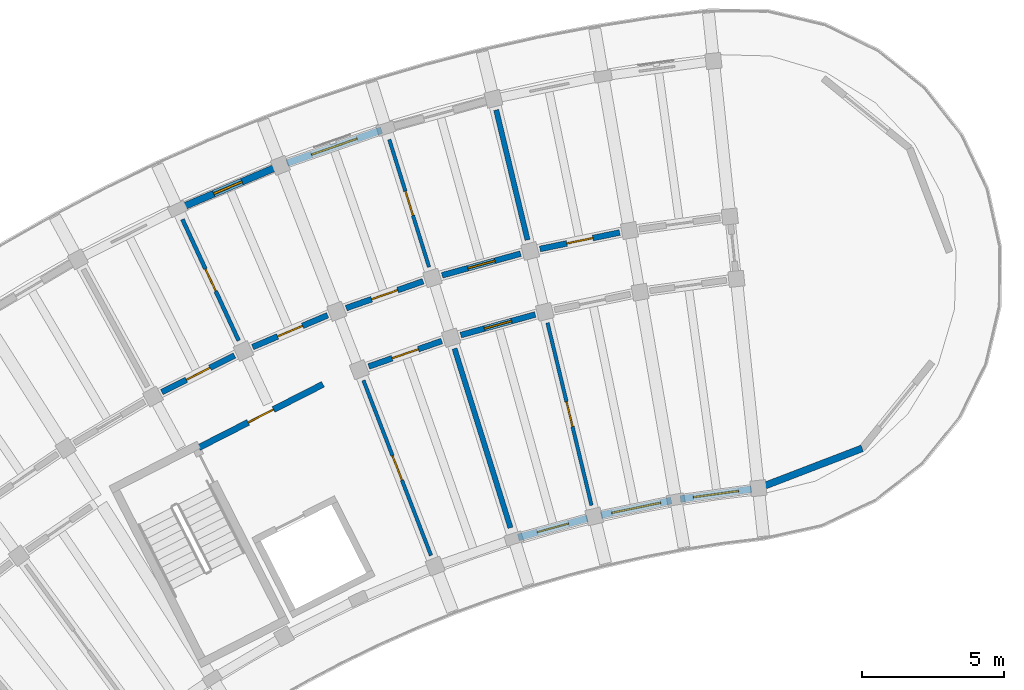
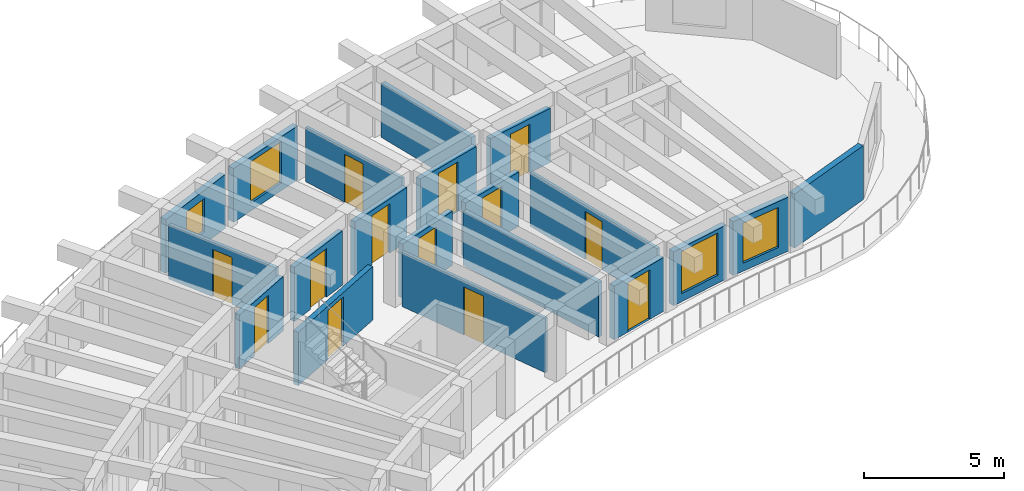
# One storey, part 49 of 81: 20 walls, 13 doors, 4 windows, 17 openings.
"""IFC4 building model written with IfcOpenShell, lengths in metres."""

from ifc_helpers import new_model, si_unit, direction, frame, frame_2d, origin, place, context, subcontext, project, spatial, rectangle, extrude, material, layer, layer_set, type_object, element, fill, save


model = new_model("IFC4")

# Units and contexts
model_context = context("Model", 3, precision=1e-05, world=origin(), true_north=direction((0.0, 1.0)))
body_context = subcontext(model_context, "Body", "Model", "MODEL_VIEW")
ifc_project = project(units=[si_unit("LENGTHUNIT", "METRE"), si_unit("AREAUNIT", "SQUARE_METRE"), si_unit("VOLUMEUNIT", "CUBIC_METRE"), si_unit("PLANEANGLEUNIT", "RADIAN"), si_unit("MASSUNIT", "GRAM", prefix="KILO")], contexts=[model_context])

# Site, building, storey
site_placement = place(None, origin())
site = spatial("IfcSite", under=ifc_project, at=site_placement, CompositionType="ELEMENT")
building_placement = place(site_placement, origin())
building = spatial("IfcBuilding", under=site, at=building_placement, Name="Tanwirah Colonnade Gardens", CompositionType="ELEMENT")
storey_placement = place(building_placement, frame((0.0, 0.0, 8.840087890625)))
storey = spatial("IfcBuildingStorey", under=building, at=storey_placement, Name="L02", CompositionType="ELEMENT", Elevation=8.840087890625)

# Wall, opening, window
ifc_material_1 = material(Name="Limestone architectural precast concrete C40/50", Category="masonry")
ifc_layer_1 = layer(ifc_material_1, 0.2451171875)
ifc_layer_set_1 = layer_set([ifc_layer_1], Name="Limestone architectural precast concrete C40/50")
wall_type_1 = type_object("IfcWallType", Name="EW-PC245", PredefinedType="SOLIDWALL", material=ifc_layer_set_1)
wall_1_placement = place(storey_placement, frame((60.111083984375, 104.372802734375, 0.0), z_axis=(0.0, 0.0, 1.0), x_axis=(-0.990545622952, -0.13718370476, 0.0)))
wall_1 = element("IfcWall", 1, at=wall_1_placement, inside=storey, type_object=wall_type_1, Name="Block A L02 IN Precast Facade Wall 0", PredefinedType="SOLIDWALL", context=body_context, shape_type="SweptSolid", body=[
    extrude(rectangle(XDim=2.525390625, YDim=0.2451171875, at=frame_2d((1.2626953125, 0.0))), origin(), (0.0, 0.0, 1.0), 2.35498046875),
])
opening_1_placement = place(wall_1_placement, frame((0.462646484375, 0.0, 0.35009765625)))
opening_1 = element("IfcOpeningElement", 2, at=opening_1_placement, cuts=wall_1, Name="Opening WIN-T10", PredefinedType="OPENING", context=body_context, shape_type="SweptSolid", body=[
    extrude(rectangle(XDim=1.60009765625, YDim=1.75, at=frame_2d((0.800048828125, 0.875))), frame((0.0, 0.132568359375, 0.0), z_axis=(0.0, -1.0, 0.0), x_axis=(1.0, 0.0, 0.0)), (0.0, 0.0, 1.0), 0.26513671875),
])
ifc_material_2 = material(Name="Thermally broken bronze aluminium and solar low-E double glazing", Category="aluminium")
window_type_1 = type_object("IfcWindowType", Name="WIN-T10", PartitioningType="DOUBLE_PANEL_VERTICAL", PredefinedType="WINDOW", material=ifc_material_2)
window_1_placement = place(opening_1_placement, origin())
window_1 = element("IfcWindow", 3, at=window_1_placement, inside=storey, type_object=window_type_1, Name="Facade window A-L02-IN-00", OverallHeight=1.75, OverallWidth=1.60009765625, PartitioningType="SINGLE_PANEL", PredefinedType="WINDOW", context=body_context, shape_type="SweptSolid", body=[
    extrude(rectangle(XDim=1.60009765625, YDim=1.75, at=frame_2d((0.800048828125, 0.875))), frame((0.0, 0.030029296875, 0.0), z_axis=(0.0, -1.0, 0.0), x_axis=(1.0, 0.0, 0.0)), (0.0, 0.0, 1.0), 0.06005859375),
])
fill(opening_1, window_1)

wall_2_placement = place(storey_placement, frame((57.29443359375, 103.971923828125, 0.0), z_axis=(0.0, 0.0, 1.0), x_axis=(-0.979334432394, -0.20224754517, 0.0)))
wall_2 = element("IfcWall", 4, at=wall_2_placement, inside=storey, type_object=wall_type_1, Name="Block A L02 IN Precast Facade Wall 1", PredefinedType="SOLIDWALL", context=body_context, shape_type="SweptSolid", body=[
    extrude(rectangle(XDim=2.525390625, YDim=0.2451171875, at=frame_2d((1.2626953125, 0.0))), origin(), (0.0, 0.0, 1.0), 2.35498046875),
])
opening_2_placement = place(wall_2_placement, frame((0.3876953125, 0.0, 0.35009765625)))
opening_2 = element("IfcOpeningElement", 5, at=opening_2_placement, cuts=wall_2, Name="Opening WIN-T13", PredefinedType="OPENING", context=body_context, shape_type="SweptSolid", body=[
    extrude(rectangle(XDim=1.75, YDim=1.85009765625, at=frame_2d((0.875, 0.925048828125))), frame((0.0, 0.132568359375, 0.0), z_axis=(0.0, -1.0, 0.0), x_axis=(1.0, 0.0, 0.0)), (0.0, 0.0, 1.0), 0.26513671875),
])
window_type_2 = type_object("IfcWindowType", Name="WIN-T13", PartitioningType="TRIPLE_PANEL_VERTICAL", PredefinedType="WINDOW", material=ifc_material_2)
window_2_placement = place(opening_2_placement, origin())
window_2 = element("IfcWindow", 6, at=window_2_placement, inside=storey, type_object=window_type_2, Name="Facade window A-L02-IN-01", OverallHeight=1.85009765625, OverallWidth=1.75, PartitioningType="SINGLE_PANEL", PredefinedType="WINDOW", context=body_context, shape_type="SweptSolid", body=[
    extrude(rectangle(XDim=1.75, YDim=1.85009765625, at=frame_2d((0.875, 0.925048828125))), frame((0.0, 0.030029296875, 0.0), z_axis=(0.0, -1.0, 0.0), x_axis=(1.0, 0.0, 0.0)), (0.0, 0.0, 1.0), 0.06005859375),
])
fill(opening_2, window_2)

# Wall, opening, door
wall_3_placement = place(storey_placement, frame((54.34521484375, 103.346435546875, 0.0), z_axis=(0.0, 0.0, 1.0), x_axis=(-0.963901971286, -0.266257375017, 0.0)))
wall_3 = element("IfcWall", 7, at=wall_3_placement, inside=storey, type_object=wall_type_1, Name="Block A L02 IN Precast Facade Wall 2", PredefinedType="SOLIDWALL", context=body_context, shape_type="SweptSolid", body=[
    extrude(rectangle(XDim=2.525146484375, YDim=0.2451171875, at=frame_2d((1.2626953125, 0.0))), origin(), (0.0, 0.0, 1.0), 2.35498046875),
])
opening_3_placement = place(wall_3_placement, frame((0.692626953125, 0.0, 0.0)))
opening_3 = element("IfcOpeningElement", 8, at=opening_3_placement, cuts=wall_3, Name="Opening L02-ED009", PredefinedType="OPENING", context=body_context, shape_type="SweptSolid", body=[
    extrude(rectangle(XDim=1.139892578125, YDim=2.159912109375, at=frame_2d((0.56982421875, 1.080078125))), frame((0.0, 0.132568359375, 0.0), z_axis=(0.0, -1.0, 0.0), x_axis=(1.0, 0.0, 0.0)), (0.0, 0.0, 1.0), 0.26513671875),
])
ifc_material_3 = material(Name="Bronze aluminium glazed balcony door", Category="aluminium")
door_type_1 = type_object("IfcDoorType", Name="ED-BAL114", OperationType="NOTDEFINED", PredefinedType="DOOR", material=ifc_material_3)
door_1_placement = place(opening_3_placement, origin())
door_1 = element("IfcDoor", 9, at=door_1_placement, inside=storey, type_object=door_type_1, Name="Balcony glazed door L02-ED009", OperationType="SINGLE_SWING_LEFT", OverallHeight=2.159912109375, OverallWidth=1.139892578125, PredefinedType="DOOR", context=body_context, shape_type="SweptSolid", body=[
    extrude(rectangle(XDim=1.139892578125, YDim=2.159912109375, at=frame_2d((0.56982421875, 1.080078125))), frame((0.0, 0.02490234375, 0.0), z_axis=(0.0, -1.0, 0.0), x_axis=(1.0, 0.0, 0.0)), (0.0, 0.0, 1.0), 0.050048828125),
])
fill(opening_3, door_1)

# Wall, opening, window
wall_4_placement = place(storey_placement, frame((47.107177734375, 116.992919921875, 0.0), z_axis=(0.0, 0.0, 1.0), x_axis=(-0.944267366677, -0.329179495455, 0.0)))
wall_4 = element("IfcWall", 10, at=wall_4_placement, inside=storey, type_object=wall_type_1, Name="Block A L02 OUT Precast Facade Wall 3", PredefinedType="SOLIDWALL", context=body_context, shape_type="SweptSolid", body=[
    extrude(rectangle(XDim=3.520751953125, YDim=0.2451171875, at=frame_2d((1.76025390625, 0.0))), origin(), (0.0, 0.0, 1.0), 2.35498046875),
])
opening_4_placement = place(wall_4_placement, frame((0.910400390625, 0.0, 0.35009765625)))
opening_4 = element("IfcOpeningElement", 11, at=opening_4_placement, cuts=wall_4, Name="Opening WIN-T12", PredefinedType="OPENING", context=body_context, shape_type="SweptSolid", body=[
    extrude(rectangle(XDim=1.699951171875, YDim=1.800048828125, at=frame_2d((0.85009765625, 0.89990234375))), frame((0.0, 0.132568359375, 0.0), z_axis=(0.0, -1.0, 0.0), x_axis=(1.0, 0.0, 0.0)), (0.0, 0.0, 1.0), 0.26513671875),
])
window_type_3 = type_object("IfcWindowType", Name="WIN-T12", PartitioningType="TRIPLE_PANEL_VERTICAL", PredefinedType="WINDOW", material=ifc_material_2)
window_3_placement = place(opening_4_placement, origin())
window_3 = element("IfcWindow", 12, at=window_3_placement, inside=storey, type_object=window_type_3, Name="Facade window A-L02-OUT-03", OverallHeight=1.800048828125, OverallWidth=1.699951171875, PartitioningType="SINGLE_PANEL", PredefinedType="WINDOW", context=body_context, shape_type="SweptSolid", body=[
    extrude(rectangle(XDim=1.699951171875, YDim=1.800048828125, at=frame_2d((0.85009765625, 0.89990234375))), frame((0.0, 0.030029296875, 0.0), z_axis=(0.0, -1.0, 0.0), x_axis=(1.0, 0.0, 0.0)), (0.0, 0.0, 1.0), 0.06005859375),
])
fill(opening_4, window_3)

wall_5_placement = place(storey_placement, frame((43.325927734375, 115.657470703125, 0.0), z_axis=(0.0, 0.0, 1.0), x_axis=(-0.920502438884, -0.390736816807, 0.0)))
wall_5 = element("IfcWall", 13, at=wall_5_placement, inside=storey, type_object=wall_type_1, Name="Block A L02 OUT Precast Facade Wall 4", PredefinedType="SOLIDWALL", context=body_context, shape_type="SweptSolid", body=[
    extrude(rectangle(XDim=3.520751953125, YDim=0.2451171875, at=frame_2d((1.76025390625, 0.0))), origin(), (0.0, 0.0, 1.0), 2.35498046875),
])
opening_5_placement = place(wall_5_placement, frame((1.22021484375, 0.0, 0.550048828125)))
opening_5 = element("IfcOpeningElement", 14, at=opening_5_placement, cuts=wall_5, Name="Opening WIN-T15", PredefinedType="OPENING", context=body_context, shape_type="SweptSolid", body=[
    extrude(rectangle(XDim=1.080078125, YDim=1.449951171875, at=frame_2d((0.5400390625, 0.72509765625))), frame((0.0, 0.132568359375, 0.0), z_axis=(0.0, -1.0, 0.0), x_axis=(1.0, 0.0, 0.0)), (0.0, 0.0, 1.0), 0.26513671875),
])
window_type_4 = type_object("IfcWindowType", Name="WIN-T15", PartitioningType="SINGLE_PANEL", PredefinedType="WINDOW", material=ifc_material_2)
window_4_placement = place(opening_5_placement, origin())
window_4 = element("IfcWindow", 15, at=window_4_placement, inside=storey, type_object=window_type_4, Name="Facade window A-L02-OUT-04", OverallHeight=1.449951171875, OverallWidth=1.080078125, PartitioningType="SINGLE_PANEL", PredefinedType="WINDOW", context=body_context, shape_type="SweptSolid", body=[
    extrude(rectangle(XDim=1.080078125, YDim=1.449951171875, at=frame_2d((0.5400390625, 0.72509765625))), frame((0.0, 0.030029296875, 0.0), z_axis=(0.0, -1.0, 0.0), x_axis=(1.0, 0.0, 0.0)), (0.0, 0.0, 1.0), 0.06005859375),
])
fill(opening_5, window_4)

# Wall
wall_6_placement = place(storey_placement, frame((64.002197265625, 105.80712890625, 0.0), z_axis=(0.0, 0.0, 1.0), x_axis=(-0.93356922619, -0.35839712598, 0.0)))
element("IfcWall", 16, at=wall_6_placement, inside=storey, type_object=wall_type_1, Name="Block A L02 START Rounded End Wall 5", PredefinedType="SOLIDWALL", context=body_context, shape_type="SweptSolid", body=[
    extrude(rectangle(XDim=3.907958984375, YDim=0.2451171875, at=frame_2d((1.9541015625, 0.0))), origin(), (0.0, 0.0, 1.0), 2.35498046875),
])

# Wall, opening, door
ifc_material_4 = material(Name="Precast concrete C40/50", Category="concrete")
ifc_layer_2 = layer(ifc_material_4, 0.205078125)
ifc_layer_set_2 = layer_set([ifc_layer_2], Name="Precast concrete C40/50")
wall_type_2 = type_object("IfcWallType", Name="IW-CORR205", PredefinedType="PARTITIONING", material=ifc_layer_set_2)
wall_7_placement = place(storey_placement, frame((55.47802734375, 113.39404296875, 0.0), z_axis=(0.0, 0.0, 1.0), x_axis=(-0.979348418612, -0.202179808492, 0.0)))
wall_7 = element("IfcWall", 17, at=wall_7_placement, inside=storey, type_object=wall_type_2, Name="Block A L02 OUT Corridor Wall 1", PredefinedType="PARTITIONING", context=body_context, shape_type="SweptSolid", body=[
    extrude(rectangle(XDim=2.863037109375, YDim=0.205078125, at=frame_2d((1.431640625, 0.0))), origin(), (0.0, 0.0, 1.0), 2.369873046875),
])
opening_6_placement = place(wall_7_placement, frame((0.966552734375, 0.0, 0.0)))
opening_6 = element("IfcOpeningElement", 18, at=opening_6_placement, cuts=wall_7, Name="Opening L02-AD307", PredefinedType="OPENING", context=body_context, shape_type="SweptSolid", body=[
    extrude(rectangle(XDim=0.929931640625, YDim=2.1201171875, at=frame_2d((0.46484375, 1.06005859375))), frame((0.0, 0.112548828125, 0.0), z_axis=(0.0, -1.0, 0.0), x_axis=(1.0, 0.0, 0.0)), (0.0, 0.0, 1.0), 0.22509765625),
])
ifc_material_5 = material(Name="Solid oak fire-resisting apartment entrance door")
door_type_2 = type_object("IfcDoorType", Name="ID-FLT093", OperationType="NOTDEFINED", PredefinedType="DOOR", material=ifc_material_5)
door_2_placement = place(opening_6_placement, origin())
door_2 = element("IfcDoor", 19, at=door_2_placement, inside=storey, type_object=door_type_2, Name="Apartment corridor door L02-AD307", OperationType="SINGLE_SWING_RIGHT", OverallHeight=2.1201171875, OverallWidth=0.929931640625, PredefinedType="DOOR", context=body_context, shape_type="SweptSolid", body=[
    extrude(rectangle(XDim=0.929931640625, YDim=2.1201171875, at=frame_2d((0.46484375, 1.06005859375))), frame((0.0, 0.02490234375, 0.0), z_axis=(0.0, -1.0, 0.0), x_axis=(1.0, 0.0, 0.0)), (0.0, 0.0, 1.0), 0.050048828125),
])
fill(opening_6, door_2)

wall_8_placement = place(storey_placement, frame((51.993896484375, 112.651123046875, 0.0), z_axis=(0.0, 0.0, 1.0), x_axis=(-0.963890789093, -0.266297853356, 0.0)))
wall_8 = element("IfcWall", 20, at=wall_8_placement, inside=storey, type_object=wall_type_2, Name="Block A L02 OUT Corridor Wall 2", PredefinedType="PARTITIONING", context=body_context, shape_type="SweptSolid", body=[
    extrude(rectangle(XDim=2.863037109375, YDim=0.205078125, at=frame_2d((1.431640625, 0.0))), origin(), (0.0, 0.0, 1.0), 2.369873046875),
])
opening_7_placement = place(wall_8_placement, frame((0.9365234375, 0.0, 0.0)))
opening_7 = element("IfcOpeningElement", 21, at=opening_7_placement, cuts=wall_8, Name="Opening L02-AD310", PredefinedType="OPENING", context=body_context, shape_type="SweptSolid", body=[
    extrude(rectangle(XDim=0.989990234375, YDim=2.159912109375, at=frame_2d((0.4951171875, 1.080078125))), frame((0.0, 0.112548828125, 0.0), z_axis=(0.0, -1.0, 0.0), x_axis=(1.0, 0.0, 0.0)), (0.0, 0.0, 1.0), 0.22509765625),
])
door_type_3 = type_object("IfcDoorType", Name="ID-FLT099", OperationType="NOTDEFINED", PredefinedType="DOOR", material=ifc_material_5)
door_3_placement = place(opening_7_placement, origin())
door_3 = element("IfcDoor", 22, at=door_3_placement, inside=storey, type_object=door_type_3, Name="Apartment corridor door L02-AD310", OperationType="SINGLE_SWING_LEFT", OverallHeight=2.159912109375, OverallWidth=0.989990234375, PredefinedType="DOOR", context=body_context, shape_type="SweptSolid", body=[
    extrude(rectangle(XDim=0.989990234375, YDim=2.159912109375, at=frame_2d((0.4951171875, 1.080078125))), frame((0.0, 0.02490234375, 0.0), z_axis=(0.0, -1.0, 0.0), x_axis=(1.0, 0.0, 0.0)), (0.0, 0.0, 1.0), 0.050048828125),
])
fill(opening_7, door_3)

wall_9_placement = place(storey_placement, frame((52.509521484375, 110.512451171875, 0.0), z_axis=(0.0, 0.0, 1.0), x_axis=(-0.96388375821, -0.266323301006, 0.0)))
wall_9 = element("IfcWall", 23, at=wall_9_placement, inside=storey, type_object=wall_type_2, Name="Block A L02 IN Corridor Wall 2", PredefinedType="PARTITIONING", context=body_context, shape_type="SweptSolid", body=[
    extrude(rectangle(XDim=2.718017578125, YDim=0.205078125, at=frame_2d((1.35888671875, 0.0))), origin(), (0.0, 0.0, 1.0), 2.369873046875),
])
opening_8_placement = place(wall_9_placement, frame((0.864013671875, 0.0, 0.0)))
opening_8 = element("IfcOpeningElement", 24, at=opening_8_placement, cuts=wall_9, Name="Opening L02-AD311", PredefinedType="OPENING", context=body_context, shape_type="SweptSolid", body=[
    extrude(rectangle(XDim=0.989990234375, YDim=2.159912109375, at=frame_2d((0.4951171875, 1.080078125))), frame((0.0, 0.112548828125, 0.0), z_axis=(0.0, -1.0, 0.0), x_axis=(1.0, 0.0, 0.0)), (0.0, 0.0, 1.0), 0.22509765625),
])
door_4_placement = place(opening_8_placement, origin())
door_4 = element("IfcDoor", 25, at=door_4_placement, inside=storey, type_object=door_type_3, Name="Apartment corridor door L02-AD311", OperationType="SINGLE_SWING_RIGHT", OverallHeight=2.159912109375, OverallWidth=0.989990234375, PredefinedType="DOOR", context=body_context, shape_type="SweptSolid", body=[
    extrude(rectangle(XDim=0.989990234375, YDim=2.159912109375, at=frame_2d((0.4951171875, 1.080078125))), frame((0.0, 0.02490234375, 0.0), z_axis=(0.0, -1.0, 0.0), x_axis=(1.0, 0.0, 0.0)), (0.0, 0.0, 1.0), 0.050048828125),
])
fill(opening_8, door_4)

wall_10_placement = place(storey_placement, frame((48.56640625, 111.68017578125, 0.0), z_axis=(0.0, 0.0, 1.0), x_axis=(-0.944253820929, -0.329218349522, 0.0)))
wall_10 = element("IfcWall", 26, at=wall_10_placement, inside=storey, type_object=wall_type_2, Name="Block A L02 OUT Corridor Wall 3", PredefinedType="PARTITIONING", context=body_context, shape_type="SweptSolid", body=[
    extrude(rectangle(XDim=2.86328125, YDim=0.205078125, at=frame_2d((1.431640625, 0.0))), origin(), (0.0, 0.0, 1.0), 2.369873046875),
])
opening_9_placement = place(wall_10_placement, frame((0.946533203125, 0.0, 0.0)))
opening_9 = element("IfcOpeningElement", 27, at=opening_9_placement, cuts=wall_10, Name="Opening L02-AD313", PredefinedType="OPENING", context=body_context, shape_type="SweptSolid", body=[
    extrude(rectangle(XDim=0.969970703125, YDim=2.14990234375, at=frame_2d((0.48486328125, 1.074951171875))), frame((0.0, 0.112548828125, 0.0), z_axis=(0.0, -1.0, 0.0), x_axis=(1.0, 0.0, 0.0)), (0.0, 0.0, 1.0), 0.22509765625),
])
door_type_4 = type_object("IfcDoorType", Name="ID-FLT097", OperationType="NOTDEFINED", PredefinedType="DOOR", material=ifc_material_5)
door_5_placement = place(opening_9_placement, origin())
door_5 = element("IfcDoor", 28, at=door_5_placement, inside=storey, type_object=door_type_4, Name="Apartment corridor door L02-AD313", OperationType="SINGLE_SWING_RIGHT", OverallHeight=2.14990234375, OverallWidth=0.969970703125, PredefinedType="DOOR", context=body_context, shape_type="SweptSolid", body=[
    extrude(rectangle(XDim=0.969970703125, YDim=2.14990234375, at=frame_2d((0.48486328125, 1.074951171875))), frame((0.0, 0.02490234375, 0.0), z_axis=(0.0, -1.0, 0.0), x_axis=(1.0, 0.0, 0.0)), (0.0, 0.0, 1.0), 0.050048828125),
])
fill(opening_9, door_5)

wall_11_placement = place(storey_placement, frame((49.221923828125, 109.580078125, 0.0), z_axis=(0.0, 0.0, 1.0), x_axis=(-0.944265123647, -0.329185929627, 0.0)))
wall_11 = element("IfcWall", 29, at=wall_11_placement, inside=storey, type_object=wall_type_2, Name="Block A L02 IN Corridor Wall 3", PredefinedType="PARTITIONING", context=body_context, shape_type="SweptSolid", body=[
    extrude(rectangle(XDim=2.71826171875, YDim=0.205078125, at=frame_2d((1.359130859375, 0.0))), origin(), (0.0, 0.0, 1.0), 2.369873046875),
])
opening_10_placement = place(wall_11_placement, frame((0.8740234375, 0.0, 0.0)))
opening_10 = element("IfcOpeningElement", 30, at=opening_10_placement, cuts=wall_11, Name="Opening L02-AD314", PredefinedType="OPENING", context=body_context, shape_type="SweptSolid", body=[
    extrude(rectangle(XDim=0.969970703125, YDim=2.14990234375, at=frame_2d((0.48486328125, 1.074951171875))), frame((0.0, 0.112548828125, 0.0), z_axis=(0.0, -1.0, 0.0), x_axis=(1.0, 0.0, 0.0)), (0.0, 0.0, 1.0), 0.22509765625),
])
door_6_placement = place(opening_10_placement, origin())
door_6 = element("IfcDoor", 31, at=door_6_placement, inside=storey, type_object=door_type_4, Name="Apartment corridor door L02-AD314", OperationType="SINGLE_SWING_LEFT", OverallHeight=2.14990234375, OverallWidth=0.969970703125, PredefinedType="DOOR", context=body_context, shape_type="SweptSolid", body=[
    extrude(rectangle(XDim=0.969970703125, YDim=2.14990234375, at=frame_2d((0.48486328125, 1.074951171875))), frame((0.0, 0.02490234375, 0.0), z_axis=(0.0, -1.0, 0.0), x_axis=(1.0, 0.0, 0.0)), (0.0, 0.0, 1.0), 0.050048828125),
])
fill(opening_10, door_6)

wall_12_placement = place(storey_placement, frame((45.210205078125, 110.485595703125, 0.0), z_axis=(0.0, 0.0, 1.0), x_axis=(-0.920511160294, -0.390716270168, 0.0)))
wall_12 = element("IfcWall", 32, at=wall_12_placement, inside=storey, type_object=wall_type_2, Name="Block A L02 OUT Corridor Wall 4", PredefinedType="PARTITIONING", context=body_context, shape_type="SweptSolid", body=[
    extrude(rectangle(XDim=2.863037109375, YDim=0.205078125, at=frame_2d((1.431640625, 0.0))), origin(), (0.0, 0.0, 1.0), 2.369873046875),
])
opening_11_placement = place(wall_12_placement, frame((0.95654296875, 0.0, 0.0)))
opening_11 = element("IfcOpeningElement", 33, at=opening_11_placement, cuts=wall_12, Name="Opening L02-AD316", PredefinedType="OPENING", context=body_context, shape_type="SweptSolid", body=[
    extrude(rectangle(XDim=0.949951171875, YDim=2.1298828125, at=frame_2d((0.47509765625, 1.06494140625))), frame((0.0, 0.112548828125, 0.0), z_axis=(0.0, -1.0, 0.0), x_axis=(1.0, 0.0, 0.0)), (0.0, 0.0, 1.0), 0.22509765625),
])
door_type_5 = type_object("IfcDoorType", Name="ID-FLT095", OperationType="NOTDEFINED", PredefinedType="DOOR", material=ifc_material_5)
door_7_placement = place(opening_11_placement, origin())
door_7 = element("IfcDoor", 34, at=door_7_placement, inside=storey, type_object=door_type_5, Name="Apartment corridor door L02-AD316", OperationType="SINGLE_SWING_LEFT", OverallHeight=2.1298828125, OverallWidth=0.949951171875, PredefinedType="DOOR", context=body_context, shape_type="SweptSolid", body=[
    extrude(rectangle(XDim=0.949951171875, YDim=2.1298828125, at=frame_2d((0.47509765625, 1.06494140625))), frame((0.0, 0.02490234375, 0.0), z_axis=(0.0, -1.0, 0.0), x_axis=(1.0, 0.0, 0.0)), (0.0, 0.0, 1.0), 0.050048828125),
])
fill(opening_11, door_7)

wall_13_placement = place(storey_placement, frame((41.93994140625, 109.072509765625, 0.0), z_axis=(0.0, 0.0, 1.0), x_axis=(-0.89273239336, -0.450587254419, 0.0)))
wall_13 = element("IfcWall", 35, at=wall_13_placement, inside=storey, type_object=wall_type_2, Name="Block A L02 OUT Corridor Wall 5", PredefinedType="PARTITIONING", context=body_context, shape_type="SweptSolid", body=[
    extrude(rectangle(XDim=2.863037109375, YDim=0.205078125, at=frame_2d((1.431640625, 0.0))), origin(), (0.0, 0.0, 1.0), 2.369873046875),
])
opening_12_placement = place(wall_13_placement, frame((0.966552734375, 0.0, 0.0)))
opening_12 = element("IfcOpeningElement", 36, at=opening_12_placement, cuts=wall_13, Name="Opening L02-AD318", PredefinedType="OPENING", context=body_context, shape_type="SweptSolid", body=[
    extrude(rectangle(XDim=0.929931640625, YDim=2.1201171875, at=frame_2d((0.46484375, 1.06005859375))), frame((0.0, 0.112548828125, 0.0), z_axis=(0.0, -1.0, 0.0), x_axis=(1.0, 0.0, 0.0)), (0.0, 0.0, 1.0), 0.22509765625),
])
door_8_placement = place(opening_12_placement, origin())
door_8 = element("IfcDoor", 37, at=door_8_placement, inside=storey, type_object=door_type_2, Name="Apartment corridor door L02-AD318", OperationType="SINGLE_SWING_RIGHT", OverallHeight=2.1201171875, OverallWidth=0.929931640625, PredefinedType="DOOR", context=body_context, shape_type="SweptSolid", body=[
    extrude(rectangle(XDim=0.929931640625, YDim=2.1201171875, at=frame_2d((0.46484375, 1.06005859375))), frame((0.0, 0.02490234375, 0.0), z_axis=(0.0, -1.0, 0.0), x_axis=(1.0, 0.0, 0.0)), (0.0, 0.0, 1.0), 0.050048828125),
])
fill(opening_12, door_8)

# Walls
ifc_layer_3 = layer(ifc_material_4, 0.18505859375)
ifc_layer_set_3 = layer_set([ifc_layer_3], Name="Precast concrete C40/50")
wall_type_3 = type_object("IfcWallType", Name="IW-DEM185", PredefinedType="PARTITIONING", material=ifc_layer_set_3)
wall_14_placement = place(storey_placement, frame((52.237548828125, 113.13330078125, 0.0), z_axis=(0.0, 0.0, 1.0), x_axis=(-0.234386624934, 0.972143461662, 0.0)))
element("IfcWall", 38, at=wall_14_placement, inside=storey, type_object=wall_type_3, Name="Block A L02 Radial Partition 1", PredefinedType="PARTITIONING", context=body_context, shape_type="SweptSolid", body=[
    extrude(rectangle(XDim=4.69970703125, YDim=0.18505859375, at=frame_2d((2.349853515625, 0.0))), origin(), (0.0, 0.0, 1.0), 2.369873046875),
])
wall_15_placement = place(storey_placement, frame((51.637939453125, 103.01318359375, 0.0), z_axis=(0.0, 0.0, 1.0), x_axis=(-0.2979590431, 0.954578655028, 0.0)))
element("IfcWall", 39, at=wall_15_placement, inside=storey, type_object=wall_type_3, Name="Block A L02 Inner Radial Partition 2", PredefinedType="PARTITIONING", context=body_context, shape_type="SweptSolid", body=[
    extrude(rectangle(XDim=6.60009765625, YDim=0.18505859375, at=frame_2d((3.300048828125, 0.0))), origin(), (0.0, 0.0, 1.0), 2.369873046875),
])

# Wall, opening, door
ifc_material_6 = material(Name="Autoclaved aerated masonry blockwork", Category="masonry")
ifc_layer_4 = layer(ifc_material_6, 0.219970703125)
ifc_layer_set_4 = layer_set([ifc_layer_4], Name="Autoclaved aerated masonry blockwork")
wall_type_4 = type_object("IfcWallType", Name="IW-FFL220", PredefinedType="PARTITIONING", material=ifc_layer_set_4)
wall_16_placement = place(storey_placement, frame((40.68212890625, 105.833740234375, 0.0), z_axis=(0.0, 0.0, 1.0), x_axis=(0.891003372311, 0.453996685595, 0.0)))
wall_16 = element("IfcWall", 40, at=wall_16_placement, inside=storey, type_object=wall_type_4, Name="CORE-A1 L02 Enclosed Lobby Fire Wall", PredefinedType="PARTITIONING", context=body_context, shape_type="SweptSolid", body=[
    extrude(rectangle(XDim=4.900146484375, YDim=0.219970703125, at=frame_2d((2.4501953125, 0.0))), origin(), (0.0, 0.0, 1.0), 2.33984375),
])
opening_13_placement = place(wall_16_placement, frame((1.949951171875, 0.0, 0.0)))
opening_13 = element("IfcOpeningElement", 41, at=opening_13_placement, cuts=wall_16, Name="Opening L02-LD020", PredefinedType="OPENING", context=body_context, shape_type="SweptSolid", body=[
    extrude(rectangle(XDim=1.0, YDim=2.14990234375, at=frame_2d((0.5, 1.074951171875))), frame((0.0, 0.119873046875, 0.0), z_axis=(0.0, -1.0, 0.0), x_axis=(1.0, 0.0, 0.0)), (0.0, 0.0, 1.0), 0.239990234375),
])
ifc_material_7 = material(Name="Acoustic fire-resisting lobby door")
door_type_6 = type_object("IfcDoorType", Name="ID-FFL100", OperationType="NOTDEFINED", PredefinedType="DOOR", material=ifc_material_7)
door_9_placement = place(opening_13_placement, origin())
door_9 = element("IfcDoor", 42, at=door_9_placement, inside=storey, type_object=door_type_6, Name="CORE-A1 L02 Lobby Fire Door L02-LD020", OperationType="SINGLE_SWING_LEFT", OverallHeight=2.14990234375, OverallWidth=1.0, PredefinedType="DOOR", context=body_context, shape_type="SweptSolid", body=[
    extrude(rectangle(XDim=1.0, YDim=2.14990234375, at=frame_2d((0.5, 1.074951171875))), frame((0.0, 0.02490234375, 0.0), z_axis=(0.0, -1.0, 0.0), x_axis=(1.0, 0.0, 0.0)), (0.0, 0.0, 1.0), 0.050048828125),
])
fill(opening_13, door_9)

ifc_material_8 = material(Name="Moisture-resistant gypsum stud partition")
ifc_layer_5 = layer(ifc_material_8, 0.125)
ifc_layer_set_5 = layer_set([ifc_layer_5], Name="Moisture-resistant gypsum stud partition")
wall_type_5 = type_object("IfcWallType", Name="IW-INT125", PredefinedType="PARTITIONING", material=ifc_layer_set_5)
wall_17_placement = place(storey_placement, frame((54.48779296875, 103.800537109375, 0.0), z_axis=(0.0, 0.0, 1.0), x_axis=(-0.234406698576, 0.972138621629, 0.0)))
wall_17 = element("IfcWall", 43, at=wall_17_placement, inside=storey, type_object=wall_type_5, Name="Block A L02 Inner Radial Partition 1", PredefinedType="PARTITIONING", context=body_context, shape_type="SweptSolid", body=[
    extrude(rectangle(XDim=6.60009765625, YDim=0.125, at=frame_2d((3.300048828125, 0.0))), origin(), (0.0, 0.0, 1.0), 2.369873046875),
])
opening_14_placement = place(wall_17_placement, frame((2.85498046875, 0.0, 0.0)))
opening_14 = element("IfcOpeningElement", 44, at=opening_14_placement, cuts=wall_17, Name="Opening L02-RD309", PredefinedType="OPENING", context=body_context, shape_type="SweptSolid", body=[
    extrude(rectangle(XDim=0.889892578125, YDim=2.10009765625, at=frame_2d((0.44482421875, 1.050048828125))), frame((0.0, 0.072509765625, 0.0), z_axis=(0.0, -1.0, 0.0), x_axis=(1.0, 0.0, 0.0)), (0.0, 0.0, 1.0), 0.14501953125),
])
ifc_material_9 = material(Name="Painted hardwood bedroom door", Category="wood")
door_type_7 = type_object("IfcDoorType", Name="ID-RM089", OperationType="NOTDEFINED", PredefinedType="DOOR", material=ifc_material_9)
door_10_placement = place(opening_14_placement, origin())
door_10 = element("IfcDoor", 45, at=door_10_placement, inside=storey, type_object=door_type_7, Name="Internal apartment door L02-RD309", OperationType="SINGLE_SWING_LEFT", OverallHeight=2.10009765625, OverallWidth=0.889892578125, PredefinedType="DOOR", context=body_context, shape_type="SweptSolid", body=[
    extrude(rectangle(XDim=0.889892578125, YDim=2.10009765625, at=frame_2d((0.44482421875, 1.050048828125))), frame((0.0, 0.02490234375, 0.0), z_axis=(0.0, -1.0, 0.0), x_axis=(1.0, 0.0, 0.0)), (0.0, 0.0, 1.0), 0.050048828125),
])
fill(opening_14, door_10)

wall_18_placement = place(storey_placement, frame((48.777587890625, 112.17724609375, 0.0), z_axis=(0.0, 0.0, 1.0), x_axis=(-0.297905254614, 0.954595442726, 0.0)))
wall_18 = element("IfcWall", 46, at=wall_18_placement, inside=storey, type_object=wall_type_5, Name="Block A L02 Radial Partition 2", PredefinedType="PARTITIONING", context=body_context, shape_type="SweptSolid", body=[
    extrude(rectangle(XDim=4.699951171875, YDim=0.125, at=frame_2d((2.35009765625, 0.0))), origin(), (0.0, 0.0, 1.0), 2.369873046875),
])
opening_15_placement = place(wall_18_placement, frame((1.905029296875, 0.0, 0.0)))
opening_15 = element("IfcOpeningElement", 47, at=opening_15_placement, cuts=wall_18, Name="Opening L02-RD312", PredefinedType="OPENING", context=body_context, shape_type="SweptSolid", body=[
    extrude(rectangle(XDim=0.889892578125, YDim=2.10009765625, at=frame_2d((0.44482421875, 1.050048828125))), frame((0.0, 0.072509765625, 0.0), z_axis=(0.0, -1.0, 0.0), x_axis=(1.0, 0.0, 0.0)), (0.0, 0.0, 1.0), 0.14501953125),
])
door_11_placement = place(opening_15_placement, origin())
door_11 = element("IfcDoor", 48, at=door_11_placement, inside=storey, type_object=door_type_7, Name="Internal apartment door L02-RD312", OperationType="SINGLE_SWING_LEFT", OverallHeight=2.10009765625, OverallWidth=0.889892578125, PredefinedType="DOOR", context=body_context, shape_type="SweptSolid", body=[
    extrude(rectangle(XDim=0.889892578125, YDim=2.10009765625, at=frame_2d((0.44482421875, 1.050048828125))), frame((0.0, 0.02490234375, 0.0), z_axis=(0.0, -1.0, 0.0), x_axis=(1.0, 0.0, 0.0)), (0.0, 0.0, 1.0), 0.050048828125),
])
fill(opening_15, door_11)

wall_19_placement = place(storey_placement, frame((48.845947265625, 102.039794921875, 0.0), z_axis=(0.0, 0.0, 1.0), x_axis=(-0.360183473608, 0.932881485152, 0.0)))
wall_19 = element("IfcWall", 49, at=wall_19_placement, inside=storey, type_object=wall_type_5, Name="Block A L02 Inner Radial Partition 3", PredefinedType="PARTITIONING", context=body_context, shape_type="SweptSolid", body=[
    extrude(rectangle(XDim=6.599853515625, YDim=0.125, at=frame_2d((3.2998046875, 0.0))), origin(), (0.0, 0.0, 1.0), 2.369873046875),
])
opening_16_placement = place(wall_19_placement, frame((2.844970703125, 0.0, 0.0)))
opening_16 = element("IfcOpeningElement", 50, at=opening_16_placement, cuts=wall_19, Name="Opening L02-RD315", PredefinedType="OPENING", context=body_context, shape_type="SweptSolid", body=[
    extrude(rectangle(XDim=0.909912109375, YDim=2.10009765625, at=frame_2d((0.455078125, 1.050048828125))), frame((0.0, 0.072509765625, 0.0), z_axis=(0.0, -1.0, 0.0), x_axis=(1.0, 0.0, 0.0)), (0.0, 0.0, 1.0), 0.14501953125),
])
ifc_material_10 = material(Name="Painted hardwood internal room door", Category="wood")
door_type_8 = type_object("IfcDoorType", Name="ID-RM091", OperationType="NOTDEFINED", PredefinedType="DOOR", material=ifc_material_10)
door_12_placement = place(opening_16_placement, origin())
door_12 = element("IfcDoor", 51, at=door_12_placement, inside=storey, type_object=door_type_8, Name="Internal apartment door L02-RD315", OperationType="SINGLE_SWING_LEFT", OverallHeight=2.10009765625, OverallWidth=0.909912109375, PredefinedType="DOOR", context=body_context, shape_type="SweptSolid", body=[
    extrude(rectangle(XDim=0.909912109375, YDim=2.10009765625, at=frame_2d((0.455078125, 1.050048828125))), frame((0.0, 0.02490234375, 0.0), z_axis=(0.0, -1.0, 0.0), x_axis=(1.0, 0.0, 0.0)), (0.0, 0.0, 1.0), 0.050048828125),
])
fill(opening_16, door_12)

ifc_material_11 = material(Name="Water-resistant acoustic plumbing partition")
ifc_layer_6 = layer(ifc_material_11, 0.139892578125)
ifc_layer_set_6 = layer_set([ifc_layer_6], Name="Water-resistant acoustic plumbing partition")
wall_type_6 = type_object("IfcWallType", Name="IW-WET140", PredefinedType="PLUMBINGWALL", material=ifc_layer_set_6)
wall_20_placement = place(storey_placement, frame((42.084228515625, 109.593017578125, 0.0), z_axis=(0.0, 0.0, 1.0), x_axis=(-0.420862519045, 0.907124434718, 0.0)))
wall_20 = element("IfcWall", 52, at=wall_20_placement, inside=storey, type_object=wall_type_6, Name="Block A L02 Radial Partition 4", PredefinedType="PLUMBINGWALL", context=body_context, shape_type="SweptSolid", body=[
    extrude(rectangle(XDim=4.699951171875, YDim=0.139892578125, at=frame_2d((2.35009765625, 0.0))), origin(), (0.0, 0.0, 1.0), 2.369873046875),
])
opening_17_placement = place(wall_20_placement, frame((1.919921875, 0.0, 0.0)))
opening_17 = element("IfcOpeningElement", 53, at=opening_17_placement, cuts=wall_20, Name="Opening L02-RD317", PredefinedType="OPENING", context=body_context, shape_type="SweptSolid", body=[
    extrude(rectangle(XDim=0.860107421875, YDim=2.06005859375, at=frame_2d((0.43017578125, 1.030029296875))), frame((0.0, 0.079833984375, 0.0), z_axis=(0.0, -1.0, 0.0), x_axis=(1.0, 0.0, 0.0)), (0.0, 0.0, 1.0), 0.159912109375),
])
ifc_material_12 = material(Name="Moisture-resistant bathroom door")
door_type_9 = type_object("IfcDoorType", Name="ID-WET086", OperationType="NOTDEFINED", PredefinedType="DOOR", material=ifc_material_12)
door_13_placement = place(opening_17_placement, origin())
door_13 = element("IfcDoor", 54, at=door_13_placement, inside=storey, type_object=door_type_9, Name="Internal apartment door L02-RD317", OperationType="SINGLE_SWING_LEFT", OverallHeight=2.06005859375, OverallWidth=0.860107421875, PredefinedType="DOOR", context=body_context, shape_type="SweptSolid", body=[
    extrude(rectangle(XDim=0.860107421875, YDim=2.06005859375, at=frame_2d((0.43017578125, 1.030029296875))), frame((0.0, 0.02490234375, 0.0), z_axis=(0.0, -1.0, 0.0), x_axis=(1.0, 0.0, 0.0)), (0.0, 0.0, 1.0), 0.050048828125),
])
fill(opening_17, door_13)

save(model, "model.ifc")
